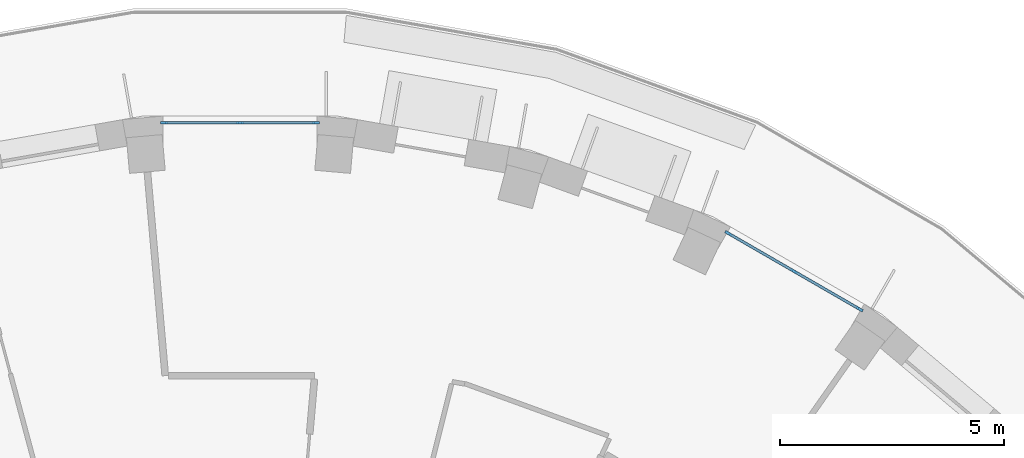
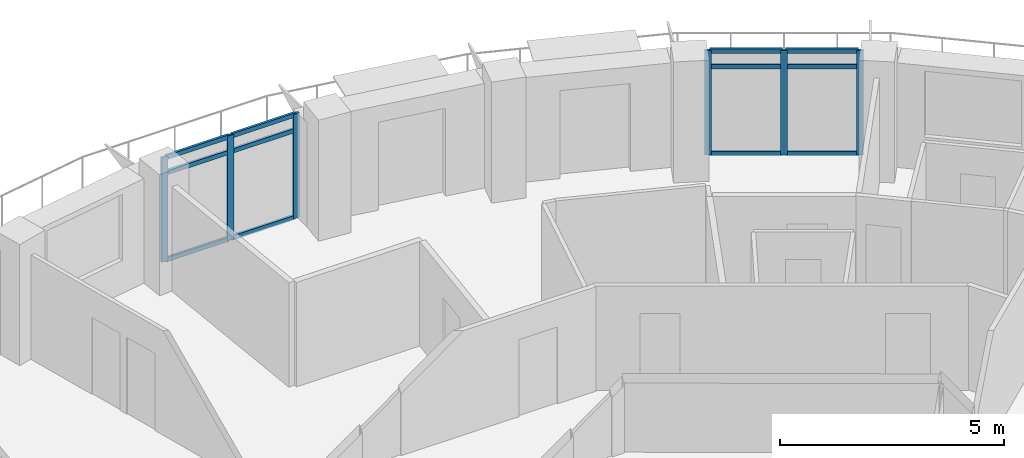
# One storey, part 2 of 13: 18 members, 2 elements without a shape of their own.
"""IFC4 building model written with IfcOpenShell, lengths in metres."""

from ifc_helpers import new_model, si_unit, direction, frame, origin, origin_2d, place, context, subcontext, project, spatial, rectangle, extrude, material, layer, layer_set, material_profile, profile_set, type_object, element, aggregate, save


model = new_model("IFC4")

# Units and contexts
model_context = context("Model", 3, precision=1e-05, world=origin(), true_north=direction((0.0, 1.0)))
body_context = subcontext(model_context, "Body", "Model", "MODEL_VIEW")
ifc_project = project(units=[si_unit("LENGTHUNIT", "METRE"), si_unit("AREAUNIT", "SQUARE_METRE"), si_unit("VOLUMEUNIT", "CUBIC_METRE"), si_unit("PLANEANGLEUNIT", "RADIAN"), si_unit("MASSUNIT", "GRAM", prefix="KILO")], contexts=[model_context])

# Site, building, storey
site_placement = place(None, origin())
site = spatial("IfcSite", under=ifc_project, at=site_placement, CompositionType="ELEMENT")
building_placement = place(site_placement, origin())
building = spatial("IfcBuilding", under=site, at=building_placement, Name="Saqina Gate Tower", CompositionType="ELEMENT")
storey_placement = place(building_placement, frame((0.0, 0.0, 200.39990234375)))
storey = spatial("IfcBuildingStorey", under=building, at=storey_placement, Name="L57", CompositionType="ELEMENT", Elevation=200.39990234375)

# Curtain wall, members
ifc_material_1 = material(Name="Aluminium glazing", Category="aluminium")
ifc_layer = layer(ifc_material_1, 0.159912109375)
ifc_layer_set = layer_set([ifc_layer], Name="CWT-4")
curtain_wall_type = type_object("IfcCurtainWallType", Name="CWT-4", PredefinedType="NOTDEFINED", material=ifc_layer_set)
curtain_wall_1_placement = place(storey_placement, origin())
curtain_wall_1 = element("IfcCurtainWall", 1, at=curtain_wall_1_placement, inside=storey, type_object=curtain_wall_type, Name="Terrace lounge glazing facet 6", PredefinedType="NOTDEFINED")
ifc_material_2 = material(Name="Aluminium", Category="aluminium")
ifc_material_profile_1 = material_profile(ifc_material_2, rectangle(XDim=0.06005859375, YDim=0.159912109375, at=origin_2d()), Name="Aluminium 60x160")
ifc_profile_set_1 = profile_set([ifc_material_profile_1], Name="Aluminium")
member_type_1 = type_object("IfcMemberType", Name="CWT-4M", PredefinedType="MULLION", material=ifc_profile_set_1)
member_1_placement = place(storey_placement, frame((13.84521484375, 20.5908203125, 0.0), z_axis=(0.0, 0.0, 1.0), x_axis=(-0.500014364391, -0.866017110341, 0.0)))
member_1 = element("IfcMember", 2, at=member_1_placement, type_object=member_type_1, Name="CW4-06 mullion 1", PredefinedType="MULLION", context=body_context, shape_type="SweptSolid", body=[
    extrude(rectangle(XDim=0.06005859375, YDim=0.159912109375, at=origin_2d()), origin(), (0.0, 0.0, 1.0), 2.85009765625),
])
member_2_placement = place(storey_placement, frame((12.37744140625, 21.438232421875, 0.0), z_axis=(0.0, 0.0, 1.0), x_axis=(-0.500014364391, -0.866017110341, 0.0)))
member_2 = element("IfcMember", 3, at=member_2_placement, type_object=member_type_1, Name="CW4-06 mullion 2", PredefinedType="MULLION", context=body_context, shape_type="SweptSolid", body=[
    extrude(rectangle(XDim=0.06005859375, YDim=0.159912109375, at=origin_2d()), origin(), (0.0, 0.0, 1.0), 2.85009765625),
])
member_3_placement = place(storey_placement, frame((10.90966796875, 22.285888671875, 0.0), z_axis=(0.0, 0.0, 1.0), x_axis=(-0.500014364391, -0.866017110341, 0.0)))
member_3 = element("IfcMember", 4, at=member_3_placement, type_object=member_type_1, Name="CW4-06 mullion 3", PredefinedType="MULLION", context=body_context, shape_type="SweptSolid", body=[
    extrude(rectangle(XDim=0.06005859375, YDim=0.159912109375, at=origin_2d()), origin(), (0.0, 0.0, 1.0), 2.85009765625),
])

curtain_wall_2_placement = place(storey_placement, origin())
curtain_wall_2 = element("IfcCurtainWall", 5, at=curtain_wall_2_placement, inside=storey, type_object=curtain_wall_type, Name="Terrace lounge glazing facet 9", PredefinedType="NOTDEFINED")
member_4_placement = place(storey_placement, frame((1.69482421875, 24.7548828125, 0.0), z_axis=(0.0, 0.0, 1.0), x_axis=(0.0, -1.0, 0.0)))
member_4 = element("IfcMember", 6, at=member_4_placement, type_object=member_type_1, Name="CW4-09 mullion 1", PredefinedType="MULLION", context=body_context, shape_type="SweptSolid", body=[
    extrude(rectangle(XDim=0.06005859375, YDim=0.159912109375, at=origin_2d()), origin(), (0.0, 0.0, 1.0), 2.85009765625),
])
member_5_placement = place(storey_placement, frame((0.0, 24.7548828125, 0.0), z_axis=(0.0, 0.0, 1.0), x_axis=(0.0, -1.0, 0.0)))
member_5 = element("IfcMember", 7, at=member_5_placement, type_object=member_type_1, Name="CW4-09 mullion 2", PredefinedType="MULLION", context=body_context, shape_type="SweptSolid", body=[
    extrude(rectangle(XDim=0.06005859375, YDim=0.159912109375, at=origin_2d()), origin(), (0.0, 0.0, 1.0), 2.85009765625),
])
member_6_placement = place(storey_placement, frame((-1.69482421875, 24.7548828125, 0.0), z_axis=(0.0, 0.0, 1.0), x_axis=(0.0, -1.0, 0.0)))
member_6 = element("IfcMember", 8, at=member_6_placement, type_object=member_type_1, Name="CW4-09 mullion 3", PredefinedType="MULLION", context=body_context, shape_type="SweptSolid", body=[
    extrude(rectangle(XDim=0.06005859375, YDim=0.159912109375, at=origin_2d()), origin(), (0.0, 0.0, 1.0), 2.85009765625),
])

# Member
ifc_material_3 = material(Name="Aluminium", Category="aluminium")
ifc_material_profile_2 = material_profile(ifc_material_3, rectangle(XDim=0.06005859375, YDim=0.1201171875, at=origin_2d()), Name="Aluminium 60x120")
ifc_profile_set_2 = profile_set([ifc_material_profile_2], Name="Aluminium")
member_type_2 = type_object("IfcMemberType", Name="CWT-4T", PredefinedType="USERDEFINED", material=ifc_profile_set_2)
member_7_placement = place(storey_placement, frame((13.8193359375, 20.60595703125, 0.030029296875), z_axis=(-0.866066236526, 0.499929268946, 0.0), x_axis=(-0.499929268946, -0.866066236526, 0.0)))
member_7 = element("IfcMember", 9, at=member_7_placement, type_object=member_type_2, Name="CW4-06 transom 1.1", ObjectType="TRANSOM", PredefinedType="USERDEFINED", context=body_context, shape_type="SweptSolid", body=[
    extrude(rectangle(XDim=0.06005859375, YDim=0.1201171875, at=origin_2d()), origin(), (0.0, 0.0, 1.0), 1.635009765625),
])

member_8_placement = place(storey_placement, frame((13.8193359375, 20.60595703125, 2.400146484375), z_axis=(-0.866066236526, 0.499929268946, 0.0), x_axis=(-0.499929268946, -0.866066236526, 0.0)))
member_8 = element("IfcMember", 10, at=member_8_placement, type_object=member_type_2, Name="CW4-06 transom 1.2", ObjectType="TRANSOM", PredefinedType="USERDEFINED", context=body_context, shape_type="SweptSolid", body=[
    extrude(rectangle(XDim=0.06005859375, YDim=0.1201171875, at=origin_2d()), origin(), (0.0, 0.0, 1.0), 1.635009765625),
])

member_9_placement = place(storey_placement, frame((13.8193359375, 20.60595703125, 2.820068359375), z_axis=(-0.866066236526, 0.499929268946, 0.0), x_axis=(-0.499929268946, -0.866066236526, 0.0)))
member_9 = element("IfcMember", 11, at=member_9_placement, type_object=member_type_2, Name="CW4-06 transom 1.3", ObjectType="TRANSOM", PredefinedType="USERDEFINED", context=body_context, shape_type="SweptSolid", body=[
    extrude(rectangle(XDim=0.06005859375, YDim=0.1201171875, at=origin_2d()), origin(), (0.0, 0.0, 1.0), 1.635009765625),
])

member_10_placement = place(storey_placement, frame((12.3515625, 21.453369140625, 0.030029296875), z_axis=(-0.866066236526, 0.499929268946, 0.0), x_axis=(-0.499929268946, -0.866066236526, 0.0)))
member_10 = element("IfcMember", 12, at=member_10_placement, type_object=member_type_2, Name="CW4-06 transom 2.1", ObjectType="TRANSOM", PredefinedType="USERDEFINED", context=body_context, shape_type="SweptSolid", body=[
    extrude(rectangle(XDim=0.06005859375, YDim=0.1201171875, at=origin_2d()), origin(), (0.0, 0.0, 1.0), 1.635009765625),
])

member_11_placement = place(storey_placement, frame((12.3515625, 21.453369140625, 2.400146484375), z_axis=(-0.866066236526, 0.499929268946, 0.0), x_axis=(-0.499929268946, -0.866066236526, 0.0)))
member_11 = element("IfcMember", 13, at=member_11_placement, type_object=member_type_2, Name="CW4-06 transom 2.2", ObjectType="TRANSOM", PredefinedType="USERDEFINED", context=body_context, shape_type="SweptSolid", body=[
    extrude(rectangle(XDim=0.06005859375, YDim=0.1201171875, at=origin_2d()), origin(), (0.0, 0.0, 1.0), 1.635009765625),
])

member_12_placement = place(storey_placement, frame((12.3515625, 21.453369140625, 2.820068359375), z_axis=(-0.866066236526, 0.499929268946, 0.0), x_axis=(-0.499929268946, -0.866066236526, 0.0)))
member_12 = element("IfcMember", 14, at=member_12_placement, type_object=member_type_2, Name="CW4-06 transom 2.3", ObjectType="TRANSOM", PredefinedType="USERDEFINED", context=body_context, shape_type="SweptSolid", body=[
    extrude(rectangle(XDim=0.06005859375, YDim=0.1201171875, at=origin_2d()), origin(), (0.0, 0.0, 1.0), 1.635009765625),
])

aggregate(curtain_wall_1, [member_1, member_2, member_3, member_7, member_8, member_9, member_10, member_11, member_12])

member_13_placement = place(storey_placement, frame((1.664794921875, 24.7548828125, 0.030029296875), z_axis=(-1.0, 0.0, 0.0), x_axis=(0.0, -1.0, 0.0)))
member_13 = element("IfcMember", 15, at=member_13_placement, type_object=member_type_2, Name="CW4-09 transom 1.1", ObjectType="TRANSOM", PredefinedType="USERDEFINED", context=body_context, shape_type="SweptSolid", body=[
    extrude(rectangle(XDim=0.06005859375, YDim=0.1201171875, at=origin_2d()), origin(), (0.0, 0.0, 1.0), 1.634765625),
])

member_14_placement = place(storey_placement, frame((1.664794921875, 24.7548828125, 2.400146484375), z_axis=(-1.0, 0.0, 0.0), x_axis=(0.0, -1.0, 0.0)))
member_14 = element("IfcMember", 16, at=member_14_placement, type_object=member_type_2, Name="CW4-09 transom 1.2", ObjectType="TRANSOM", PredefinedType="USERDEFINED", context=body_context, shape_type="SweptSolid", body=[
    extrude(rectangle(XDim=0.06005859375, YDim=0.1201171875, at=origin_2d()), origin(), (0.0, 0.0, 1.0), 1.634765625),
])

member_15_placement = place(storey_placement, frame((1.664794921875, 24.7548828125, 2.820068359375), z_axis=(-1.0, 0.0, 0.0), x_axis=(0.0, -1.0, 0.0)))
member_15 = element("IfcMember", 17, at=member_15_placement, type_object=member_type_2, Name="CW4-09 transom 1.3", ObjectType="TRANSOM", PredefinedType="USERDEFINED", context=body_context, shape_type="SweptSolid", body=[
    extrude(rectangle(XDim=0.06005859375, YDim=0.1201171875, at=origin_2d()), origin(), (0.0, 0.0, 1.0), 1.634765625),
])

member_16_placement = place(storey_placement, frame((-0.030029296875, 24.7548828125, 0.030029296875), z_axis=(-1.0, 0.0, 0.0), x_axis=(0.0, -1.0, 0.0)))
member_16 = element("IfcMember", 18, at=member_16_placement, type_object=member_type_2, Name="CW4-09 transom 2.1", ObjectType="TRANSOM", PredefinedType="USERDEFINED", context=body_context, shape_type="SweptSolid", body=[
    extrude(rectangle(XDim=0.06005859375, YDim=0.1201171875, at=origin_2d()), origin(), (0.0, 0.0, 1.0), 1.634765625),
])

member_17_placement = place(storey_placement, frame((-0.030029296875, 24.7548828125, 2.400146484375), z_axis=(-1.0, 0.0, 0.0), x_axis=(0.0, -1.0, 0.0)))
member_17 = element("IfcMember", 19, at=member_17_placement, type_object=member_type_2, Name="CW4-09 transom 2.2", ObjectType="TRANSOM", PredefinedType="USERDEFINED", context=body_context, shape_type="SweptSolid", body=[
    extrude(rectangle(XDim=0.06005859375, YDim=0.1201171875, at=origin_2d()), origin(), (0.0, 0.0, 1.0), 1.634765625),
])

member_18_placement = place(storey_placement, frame((-0.030029296875, 24.7548828125, 2.820068359375), z_axis=(-1.0, 0.0, 0.0), x_axis=(0.0, -1.0, 0.0)))
member_18 = element("IfcMember", 20, at=member_18_placement, type_object=member_type_2, Name="CW4-09 transom 2.3", ObjectType="TRANSOM", PredefinedType="USERDEFINED", context=body_context, shape_type="SweptSolid", body=[
    extrude(rectangle(XDim=0.06005859375, YDim=0.1201171875, at=origin_2d()), origin(), (0.0, 0.0, 1.0), 1.634765625),
])

aggregate(curtain_wall_2, [member_4, member_5, member_6, member_13, member_14, member_15, member_16, member_17, member_18])

save(model, "model.ifc")
